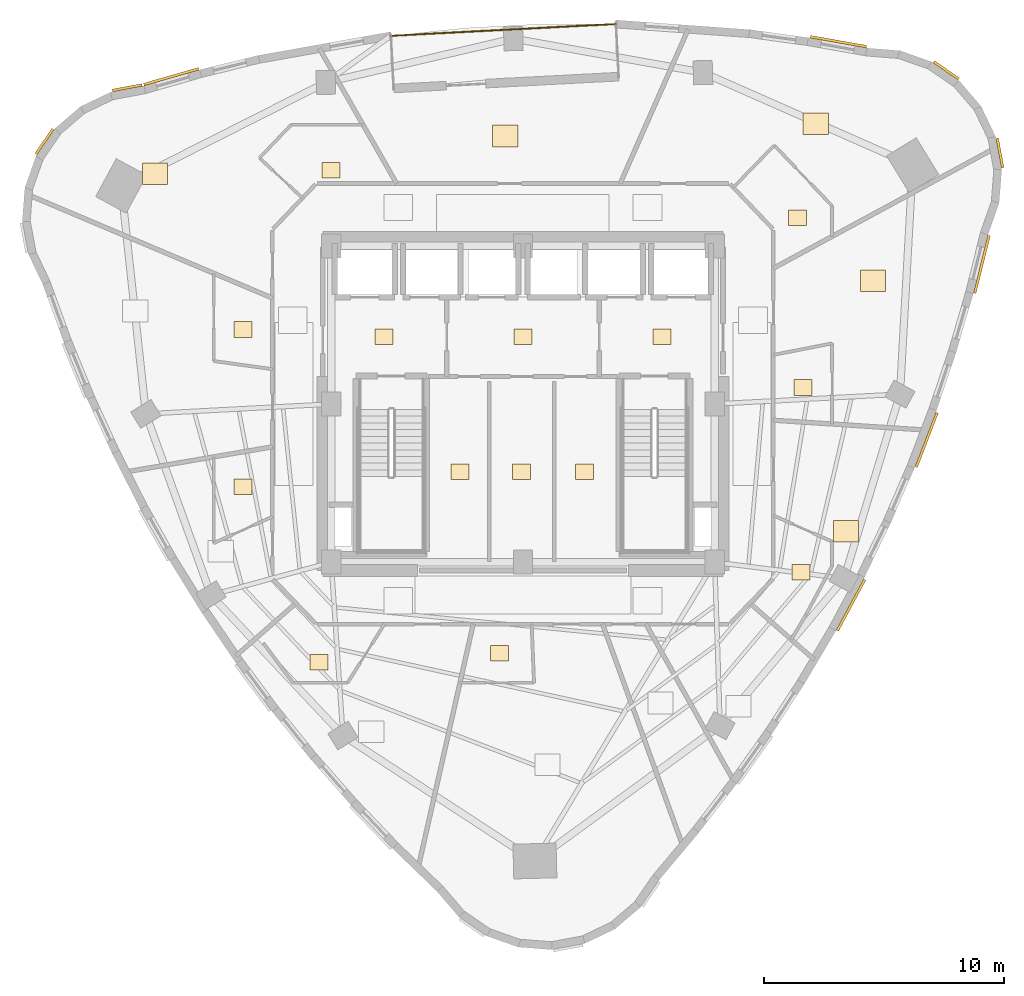
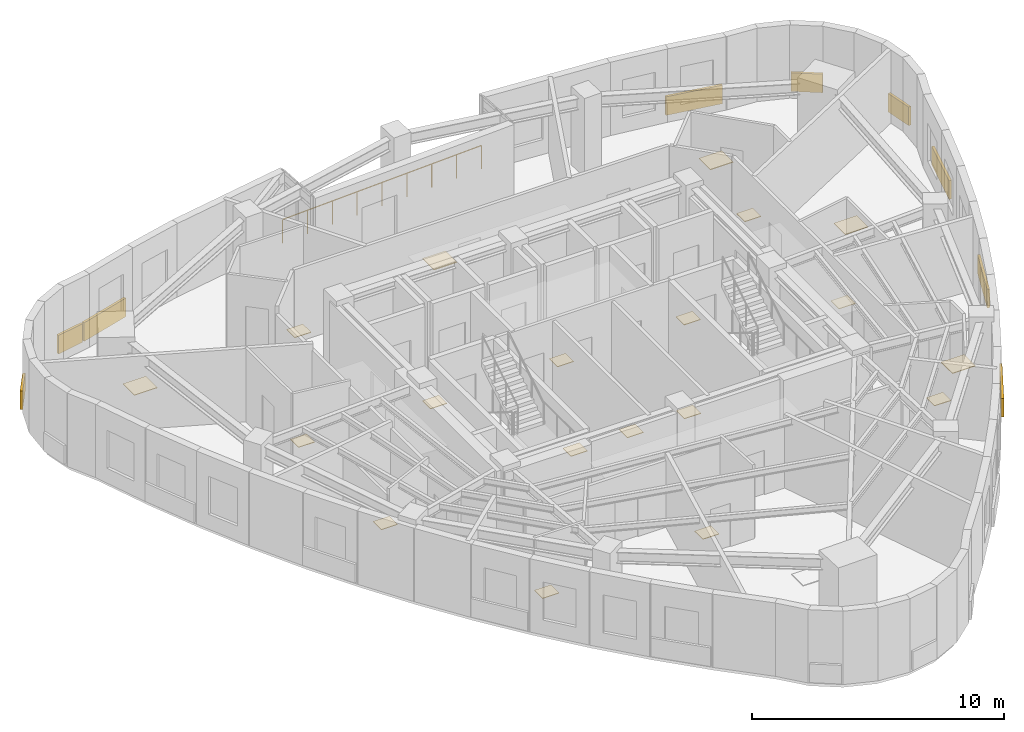
# One storey, part 11 of 11: 28 coverings, 1 railing.
"""IFC4 building model written with IfcOpenShell, lengths in metres."""

from ifc_helpers import new_model, si_unit, direction, frame, origin, origin_2d, place, context, subcontext, project, spatial, rectangle, circle, extrude, material, layer, layer_set, type_object, element, save


model = new_model("IFC4")

# Units and contexts
model_context = context("Model", 3, precision=1e-05, world=origin(), true_north=direction((0.0, 1.0)))
body_context = subcontext(model_context, "Body", "Model", "MODEL_VIEW")
ifc_project = project(units=[si_unit("LENGTHUNIT", "METRE"), si_unit("AREAUNIT", "SQUARE_METRE"), si_unit("VOLUMEUNIT", "CUBIC_METRE"), si_unit("PLANEANGLEUNIT", "RADIAN"), si_unit("MASSUNIT", "GRAM", prefix="KILO")], contexts=[model_context])

# Site, building, storey
site_placement = place(None, origin())
site = spatial("IfcSite", under=ifc_project, at=site_placement, CompositionType="ELEMENT")
building_placement = place(site_placement, origin())
building = spatial("IfcBuilding", under=site, at=building_placement, Name="Ndelora Gate Hotel", CompositionType="ELEMENT")
storey_placement = place(building_placement, frame((0.0, 0.0, 224.550048828125)))
storey = spatial("IfcBuildingStorey", under=building, at=storey_placement, Name="L56", CompositionType="ELEMENT", Elevation=224.550048828125)

# Coverings
ifc_material_1 = material(Name="Terracotta Fired Clay Brick Slip Cladding", Category="masonry")
ifc_layer_1 = layer(ifc_material_1, 0.110107421875)
ifc_layer_set_1 = layer_set([ifc_layer_1], Name="Terracotta Fired Clay Brick Slip Cladding")
covering_type_1 = type_object("IfcCoveringType", Name="COV-CLAD-BRK", PredefinedType="CLADDING", material=ifc_layer_set_1)
for number, where, z_axis, x_axis, name in (
    (1, (-16.508056640625, 13.1962890625, 0.10009765625), (0.0, 0.0, 1.0), (0.983254907564, 0.182235525492, 0.0), "L56 Rounded-Corner Brick Cladding Band 1"),
    (2, (-19.95751953125, 10.9560546875, 0.10009765625), (0.0, 0.0, 1.0), (0.566406236925, 0.824126188622, 0.0), "L56 Rounded-Corner Brick Cladding Band 4"),
):
    element("IfcCovering", number, at=place(storey_placement, frame(where, z_axis=z_axis, x_axis=x_axis)), inside=storey, type_object=covering_type_1, Name=name, PredefinedType="CLADDING", context=body_context, shape_type="SweptSolid", body=[
        extrude(rectangle(XDim=1.257080078125, YDim=0.110107421875, at=origin_2d()), origin(), (0.0, 0.0, 1.0), 0.89990234375),
    ])
covering_1_placement = place(storey_placement, frame((13.688720703125, -8.3916015625, 0.10009765625), z_axis=(0.0, 0.0, 1.0), x_axis=(0.472550764869, 0.881303452065, 0.0)))
element("IfcCovering", 3, at=covering_1_placement, inside=storey, type_object=covering_type_1, Name="L56 Rounded-Corner Brick Cladding Band 34", PredefinedType="CLADDING", context=body_context, shape_type="SweptSolid", body=[
    extrude(rectangle(XDim=2.416015625, YDim=0.110107421875, at=origin_2d()), origin(), (0.0, 0.0, 1.0), 0.89990234375),
])
covering_2_placement = place(storey_placement, frame((16.843994140625, -1.49853515625, 0.10009765625), z_axis=(0.0, 0.0, 1.0), x_axis=(0.358530884609, 0.933517865272, 0.0)))
element("IfcCovering", 4, at=covering_2_placement, inside=storey, type_object=covering_type_1, Name="L56 Rounded-Corner Brick Cladding Band 37", PredefinedType="CLADDING", context=body_context, shape_type="SweptSolid", body=[
    extrude(rectangle(XDim=2.428955078125, YDim=0.110107421875, at=origin_2d()), origin(), (0.0, 0.0, 1.0), 0.89990234375),
])
covering_3_placement = place(storey_placement, frame((19.1494140625, 5.825927734375, 0.10009765625), z_axis=(0.0, 0.0, 1.0), x_axis=(0.2419218956, 0.970295726276, 0.0)))
element("IfcCovering", 5, at=covering_3_placement, inside=storey, type_object=covering_type_1, Name="L56 Rounded-Corner Brick Cladding Band 40", PredefinedType="CLADDING", context=body_context, shape_type="SweptSolid", body=[
    extrude(rectangle(XDim=2.48193359375, YDim=0.110107421875, at=origin_2d()), origin(), (0.0, 0.0, 1.0), 0.89990234375),
])
covering_4_placement = place(storey_placement, frame((19.900634765625, 10.471435546875, 0.10009765625), z_axis=(0.0, 0.0, 1.0), x_axis=(-0.182235525492, 0.983254907564, 0.0)))
element("IfcCovering", 6, at=covering_4_placement, inside=storey, type_object=covering_type_1, Name="L56 Rounded-Corner Brick Cladding Band 43", PredefinedType="CLADDING", context=body_context, shape_type="SweptSolid", body=[
    extrude(rectangle(XDim=1.257080078125, YDim=0.110107421875, at=origin_2d()), origin(), (0.0, 0.0, 1.0), 0.89990234375),
])
covering_5_placement = place(storey_placement, frame((17.660400390625, 13.921142578125, 0.10009765625), z_axis=(0.0, 0.0, 1.0), x_axis=(-0.824126188622, 0.566406236925, 0.0)))
element("IfcCovering", 7, at=covering_5_placement, inside=storey, type_object=covering_type_1, Name="L56 Rounded-Corner Brick Cladding Band 46", PredefinedType="CLADDING", context=body_context, shape_type="SweptSolid", body=[
    extrude(rectangle(XDim=1.258056640625, YDim=0.110107421875, at=origin_2d()), origin(), (0.0, 0.0, 1.0), 0.89990234375),
])
for number, where, z_axis, x_axis, name in (
    (8, (13.162109375, 15.1162109375, 0.10009765625), (0.0, 0.0, 1.0), (-0.984686283733, 0.174335660806, 0.0), "L56 Rounded-Corner Brick Cladding Band 49"),
    (9, (-14.670166015625, 13.65771484375, 0.10009765625), (0.0, 0.0, 1.0), (0.961069030524, 0.276308375854, 0.0), "L56 Rounded-Corner Brick Cladding Band 58"),
):
    element("IfcCovering", number, at=place(storey_placement, frame(where, z_axis=z_axis, x_axis=x_axis)), inside=storey, type_object=covering_type_1, Name=name, PredefinedType="CLADDING", context=body_context, shape_type="SweptSolid", body=[
        extrude(rectangle(XDim=2.37890625, YDim=0.110107421875, at=origin_2d()), origin(), (0.0, 0.0, 1.0), 0.89990234375),
    ])
ifc_material_2 = material(Name="Engineered Highland Oak Parquet", Category="wood")
ifc_layer_2 = layer(ifc_material_2, 0.030029296875)
ifc_layer_set_2 = layer_set([ifc_layer_2], Name="Engineered Highland Oak Parquet")
covering_type_2 = type_object("IfcCoveringType", Name="COV-FLR-PARQ", PredefinedType="FLOORING", material=ifc_layer_set_2)
for number, where, z_axis, x_axis, name in (
    (10, (13.48388671875, -5.299560546875, 0.0), (0.0, 0.0, 1.0), (1.0, 0.0, 0.0), "L56 Altitude King Guest Room 5901 Oak Parquet Flooring"),
    (11, (14.600830078125, 5.13916015625, 0.0), (0.0, 0.0, 1.0), (1.0, 0.0, 0.0), "L56 Altitude Twin Guest Room 5902 Oak Parquet Flooring"),
    (12, (12.21728515625, 11.6943359375, 0.0), (0.0, 0.0, 1.0), (1.0, 0.0, 0.0), "L56 Corner Sky Suite 5903 Oak Parquet Flooring"),
    (13, (-0.73486328125, 11.182861328125, 0.0), (0.0, 0.0, 1.0), (1.0, 0.0, 0.0), "L56 Sky Garden Tea Dining Room Oak Parquet Flooring"),
    (14, (-15.350341796875, 9.610595703125, 0.0), (0.0, 0.0, 1.0), (1.0, 0.0, 0.0), "L56 South Diplomatic Suite 5904 Oak Parquet Flooring"),
):
    element("IfcCovering", number, at=place(storey_placement, frame(where, z_axis=z_axis, x_axis=x_axis)), inside=storey, type_object=covering_type_2, Name=name, PredefinedType="FLOORING", context=body_context, shape_type="SweptSolid", body=[
        extrude(rectangle(XDim=1.050048828125, YDim=0.89990234375, at=origin_2d()), origin(), (0.0, 0.0, 1.0), 0.030029296875),
    ])
ifc_material_3 = material(Name="Non-Slip Porcelain Wet-Room Tile", Category="ceramic")
ifc_layer_3 = layer(ifc_material_3, 0.02490234375)
ifc_layer_set_3 = layer_set([ifc_layer_3], Name="Non-Slip Porcelain Wet-Room Tile")
covering_type_3 = type_object("IfcCoveringType", Name="COV-FLR-TILE", PredefinedType="FLOORING", material=ifc_layer_set_3)
for number, where, z_axis, x_axis, name in (
    (15, (-5.800048828125, 2.800048828125, 0.0), (0.0, 0.0, 1.0), (1.0, 0.0, 0.0), "L56 Firefighting Lift Lobby West Porcelain Tile Flooring"),
    (16, (5.800048828125, 2.800048828125, 0.0), (0.0, 0.0, 1.0), (1.0, 0.0, 0.0), "L56 Firefighting Lift Lobby East Porcelain Tile Flooring"),
    (17, (0.0, 2.800048828125, 0.0), (0.0, 0.0, 1.0), (1.0, 0.0, 0.0), "L56 Central Passenger Lift Lobby Porcelain Tile Flooring"),
    (18, (-2.625, -2.824951171875, 0.0), (0.0, 0.0, 1.0), (1.0, 0.0, 0.0), "L56 Core Cleaners Store Porcelain Tile Flooring"),
    (19, (-0.050048828125, -2.824951171875, 0.0), (0.0, 0.0, 1.0), (1.0, 0.0, 0.0), "L56 Core Telecoms Equipment Room Porcelain Tile Flooring"),
    (20, (2.574951171875, -2.824951171875, 0.0), (0.0, 0.0, 1.0), (1.0, 0.0, 0.0), "L56 Core Electrical Metering Room Porcelain Tile Flooring"),
    (21, (11.603271484375, -7.01220703125, 0.0), (0.0, 0.0, 1.0), (1.0, 0.0, 0.0), "L56 En-suite Bathroom 5901 Porcelain Tile Flooring"),
    (22, (11.675048828125, 0.689208984375, 0.0), (0.0, 0.0, 1.0), (1.0, 0.0, 0.0), "L56 En-suite Bathroom 5902 Porcelain Tile Flooring"),
    (23, (11.4462890625, 7.776123046875, 0.0), (0.0, 0.0, 1.0), (1.0, 0.0, 0.0), "L56 En-suite Bathroom 5903 Porcelain Tile Flooring"),
    (24, (-8.00634765625, 9.75390625, 0.0), (0.0, 0.0, 1.0), (1.0, 0.0, 0.0), "L56 En-suite Bathroom 5904 Porcelain Tile Flooring"),
    (25, (-11.675048828125, 3.110595703125, 0.0), (0.0, 0.0, 1.0), (1.0, 0.0, 0.0), "L56 En-suite Bathroom 5905 Porcelain Tile Flooring"),
    (26, (-11.675048828125, -3.45654296875, 0.0), (0.0, 0.0, 1.0), (1.0, 0.0, 0.0), "L56 En-suite Bathroom 5906 Porcelain Tile Flooring"),
    (27, (-8.50390625, -10.768310546875, 0.0), (0.0, 0.0, 1.0), (1.0, 0.0, 0.0), "L56 En-suite Bathroom 5907 Porcelain Tile Flooring"),
    (28, (-0.9677734375, -10.405029296875, 0.0), (0.0, 0.0, 1.0), (1.0, 0.0, 0.0), "L56 En-suite Bathroom 5908 Porcelain Tile Flooring"),
):
    element("IfcCovering", number, at=place(storey_placement, frame(where, z_axis=z_axis, x_axis=x_axis)), inside=storey, type_object=covering_type_3, Name=name, PredefinedType="FLOORING", context=body_context, shape_type="SweptSolid", body=[
        extrude(rectangle(XDim=0.75, YDim=0.64990234375, at=origin_2d()), origin(), (0.0, 0.0, 1.0), 0.02490234375),
    ])

# Railing
ifc_material_4 = material(Name="Laminated Safety Glass and Bronze Top Rail", Category="glass")
ifc_layer_4 = layer(ifc_material_4, 0.070068359375)
ifc_layer_set_4 = layer_set([ifc_layer_4], Name="Laminated Safety Glass and Bronze Top Rail")
railing_type = type_object("IfcRailingType", Name="RL-BAL-1150", PredefinedType="BALUSTRADE", material=ifc_layer_set_4)
railing_placement = place(storey_placement, frame((3.87548828125, 15.8544921875, 0.0)))
element("IfcRailing", 29, at=railing_placement, inside=storey, type_object=railing_type, Name="L56 Sky-Garden Loggia Terrace Balustrade", PredefinedType="BALUSTRADE", context=body_context, shape_type="SweptSolid", body=[
    extrude(circle(Radius=0.02392578125, at=origin_2d()), frame((0.0, 0.0, 1.1357421875), z_axis=(-0.998629642142, -0.052333907124, 0.0), x_axis=(0.052333907124, -0.998629642142, 0.0)), (0.0, 0.0, 1.0), 9.400146484375),
    extrude(circle(Radius=0.02099609375, at=origin_2d()), origin(), (0.0, 0.0, 1.0), 1.11181640625),
    extrude(circle(Radius=0.02099609375, at=origin_2d()), frame((-1.17333984375, -0.0615234375, 0.0)), (0.0, 0.0, 1.0), 1.11181640625),
    extrude(circle(Radius=0.02099609375, at=origin_2d()), frame((-2.3466796875, -0.123046875, 0.0)), (0.0, 0.0, 1.0), 1.11181640625),
    extrude(circle(Radius=0.02099609375, at=origin_2d()), frame((-3.520263671875, -0.1845703125, 0.0)), (0.0, 0.0, 1.0), 1.11181640625),
    extrude(circle(Radius=0.02099609375, at=origin_2d()), frame((-4.693603515625, -0.24609375, 0.0)), (0.0, 0.0, 1.0), 1.11181640625),
    extrude(circle(Radius=0.02099609375, at=origin_2d()), frame((-5.866943359375, -0.307373046875, 0.0)), (0.0, 0.0, 1.0), 1.11181640625),
    extrude(circle(Radius=0.02099609375, at=origin_2d()), frame((-7.04052734375, -0.368896484375, 0.0)), (0.0, 0.0, 1.0), 1.11181640625),
    extrude(circle(Radius=0.02099609375, at=origin_2d()), frame((-8.2138671875, -0.430419921875, 0.0)), (0.0, 0.0, 1.0), 1.11181640625),
    extrude(circle(Radius=0.02099609375, at=origin_2d()), frame((-9.38720703125, -0.491943359375, 0.0)), (0.0, 0.0, 1.0), 1.11181640625),
])

save(model, "model.ifc")
